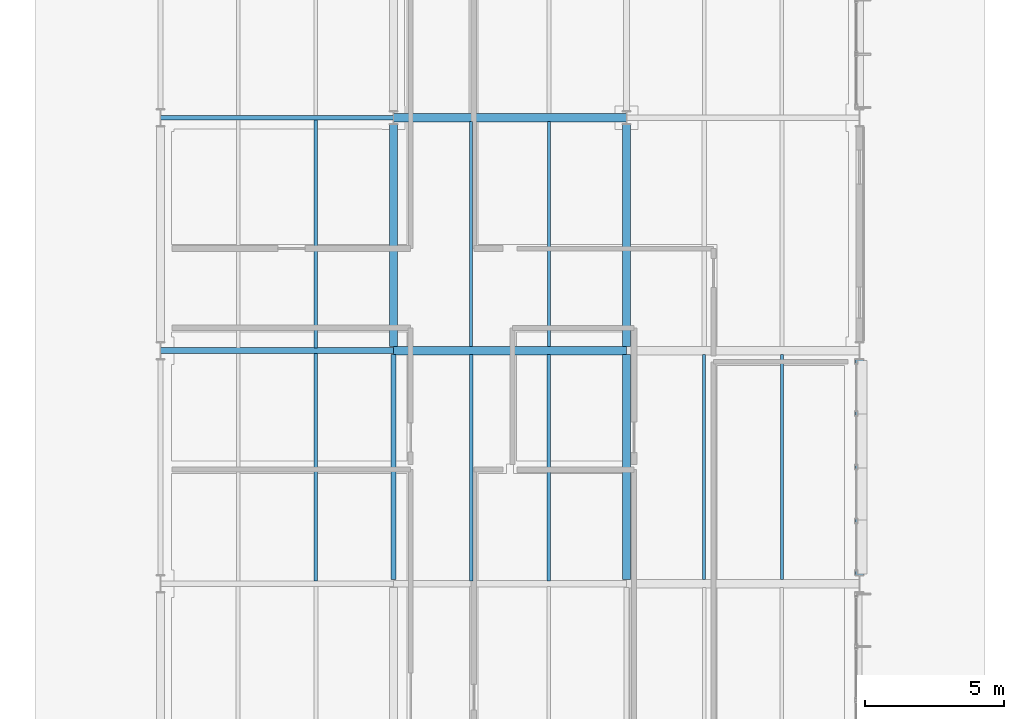
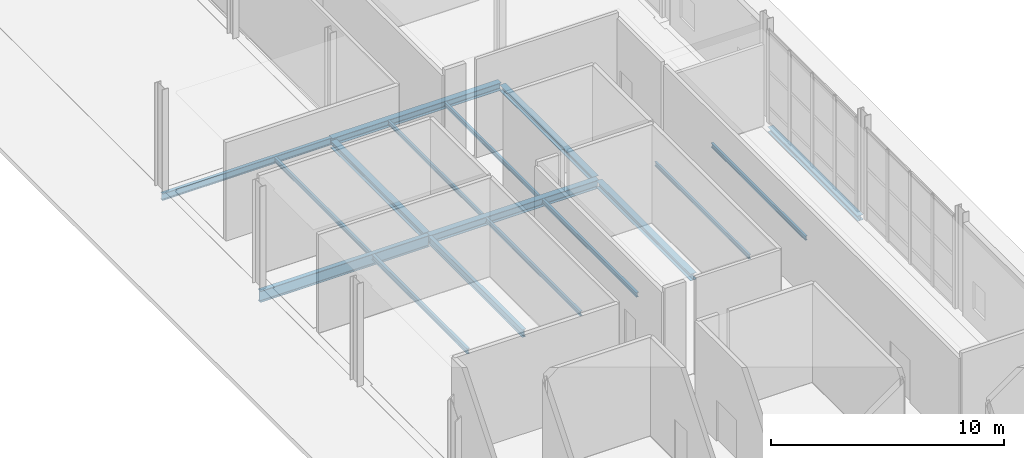
# One storey, part 39 of 124: 17 beams.
"""IFC4 building model written with IfcOpenShell, lengths in metres."""

import ifcopenshell
import ifcopenshell.guid

model = None  # the IFC model being written
_history = None  # IfcOwnerHistory: only IFC2X3 demands one
_inside = {}  # id of a spatial element -> (the spatial element, [elements in it])
_under = {}  # id of a project, library or spatial element -> (it, [spatial elements below it])
_declared = {}  # id of a project -> (the project, [libraries it declares])
_typed = {}  # id of a type object -> (the type object, [elements of that type])
_made_of = {}  # id of a material, layer set ... -> (it, [elements and type objects made of it])


def new_model(schema):
    """Start an empty IFC model of exactly this schema.

    Asked for "IFC4X3", IfcOpenShell would pick the latest addendum, in which some entities
    have other attributes; the version numbers below select the first issue.
    IFC2X3 requires an IfcOwnerHistory on every rooted entity: one is made here for all.
    """
    global model, _history
    if schema == "IFC4X3":
        model = ifcopenshell.file(schema_version=(4, 3, 0, 0))
    else:
        model = ifcopenshell.file(schema=schema)
    _inside.clear()
    _under.clear()
    _declared.clear()
    _typed.clear()
    _made_of.clear()
    _history = None
    if model.schema == "IFC2X3":
        org = make("IfcOrganization", Name="unknown")
        user = make(
            "IfcPersonAndOrganization",
            ThePerson=make("IfcPerson", FamilyName="unknown"),
            TheOrganization=org,
        )
        app = make(
            "IfcApplication",
            ApplicationDeveloper=org,
            Version="unknown",
            ApplicationFullName="unknown",
            ApplicationIdentifier="unknown",
        )
        _history = make(
            "IfcOwnerHistory",
            OwningUser=user,
            OwningApplication=app,
            ChangeAction="ADDED",
            CreationDate=0,
        )
    return model


def make(cls, **values):
    """One entity of the class cls with the attributes given. An attribute that is None is left unset."""
    return model.create_entity(
        cls, **{name: value for name, value in values.items() if value is not None}
    )


def rooted(cls, **values):
    """An entity with a GlobalId (a new one), such as an element, a storey or a relation."""
    return make(cls, GlobalId=ifcopenshell.guid.new(), OwnerHistory=_history, **values)


def si_unit(unit_type, name, prefix=None):
    """IfcSIUnit, for example si_unit("LENGTHUNIT", "METRE", prefix="MILLI")."""
    return make("IfcSIUnit", UnitType=unit_type, Prefix=prefix, Name=name)


def assignment(units):
    """IfcUnitAssignment: the units of a project."""
    return None if units is None else make("IfcUnitAssignment", Units=units)


def point(xyz):
    """IfcCartesianPoint."""
    return None if xyz is None else make("IfcCartesianPoint", Coordinates=xyz)


def direction(xyz):
    """IfcDirection."""
    return None if xyz is None else make("IfcDirection", DirectionRatios=xyz)


def frame(location, z_axis=None, x_axis=None):
    """IfcAxis2Placement3D, a coordinate frame: its origin and axes. An axis left out is left unset."""
    return make(
        "IfcAxis2Placement3D",
        Location=point(location),
        Axis=direction(z_axis),
        RefDirection=direction(x_axis),
    )


def frame_2d(location, x_axis=None):
    """IfcAxis2Placement2D, a coordinate frame in the plane: its origin and x axis."""
    return make(
        "IfcAxis2Placement2D", Location=point(location), RefDirection=direction(x_axis)
    )


def origin():
    """The frame at (0, 0, 0) with its axes left unset."""
    return frame((0.0, 0.0, 0.0))


def origin_2d():
    """The frame at (0, 0) in the plane with its x axis left unset."""
    return frame_2d((0.0, 0.0))


def place(relative_to, where):
    """IfcLocalPlacement: puts the frame where relative to a parent placement (None: the world)."""
    return make(
        "IfcLocalPlacement", PlacementRelTo=relative_to, RelativePlacement=where
    )


def context(
    kind, dimensions, precision=None, world=None, true_north=None, identifier=None
):
    """IfcGeometricRepresentationContext, for example the 3D "Model" context."""
    return make(
        "IfcGeometricRepresentationContext",
        ContextIdentifier=identifier,
        ContextType=kind,
        CoordinateSpaceDimension=dimensions,
        Precision=precision,
        WorldCoordinateSystem=world,
        TrueNorth=true_north,
    )


def subcontext(parent, identifier, kind, view, scale=None):
    """IfcGeometricRepresentationSubContext, for example "Body" below "Model"."""
    return make(
        "IfcGeometricRepresentationSubContext",
        ContextIdentifier=identifier,
        ContextType=kind,
        ParentContext=parent,
        TargetScale=scale,
        TargetView=view,
    )


def project(units=None, contexts=None):
    """IfcProject with its units and contexts."""
    return rooted(
        "IfcProject",
        Name="project",
        RepresentationContexts=contexts,
        UnitsInContext=assignment(units),
    )


def spatial(cls, under=None, at=None, **own):
    """A site, building, storey or space (cls), placed at a placement, below another one or the project."""
    s = rooted(cls, ObjectPlacement=at, **own)
    if under is not None:
        _under.setdefault(under.id(), (under, []))[1].append(s)
    return s


def profile(cls, at=None, kind="AREA", **sizes):
    """A parametric profile (cls). Its sizes go by their IFC names, for example OverallWidth=200.0."""
    return make(cls, ProfileType=kind, Position=at, **sizes)


def i_section(**sizes):
    """IfcIShapeProfileDef."""
    return profile("IfcIShapeProfileDef", **sizes)


def extrude(swept, where, along, depth):
    """IfcExtrudedAreaSolid: the profile swept, set in the frame where, extruded along a direction by depth."""
    return make(
        "IfcExtrudedAreaSolid",
        SweptArea=swept,
        Position=where,
        ExtrudedDirection=direction(along),
        Depth=depth,
    )


def shape(context_of_items, identifier, shape_type, items):
    """IfcShapeRepresentation: the items that make up one representation, for example the "Body"."""
    return make(
        "IfcShapeRepresentation",
        ContextOfItems=context_of_items,
        RepresentationIdentifier=identifier,
        RepresentationType=shape_type,
        Items=items,
    )


def material(Name=None, Category=None):
    """IfcMaterial."""
    return make("IfcMaterial", Name=Name, Category=Category)


def material_profile(
    of_material, cross_section, Name=None, Category=None, Priority=None
):
    """IfcMaterialProfile: a cross section and its material."""
    return make(
        "IfcMaterialProfile",
        Name=Name,
        Material=of_material,
        Profile=cross_section,
        Priority=Priority,
        Category=Category,
    )


def profile_set(profiles, Name=None, composite=None):
    """IfcMaterialProfileSet."""
    return make(
        "IfcMaterialProfileSet",
        Name=Name,
        MaterialProfiles=profiles,
        CompositeProfile=composite,
    )


def made_of(thing, what):
    """Note that an element or type object is made of a material, layer set ...; save() writes the relation."""
    if what is not None:
        _made_of.setdefault(what.id(), (what, []))[1].append(thing)
    return thing


def type_object(cls, material=None, **own):
    """A type object (cls), such as IfcWallType, which elements share."""
    return made_of(rooted(cls, **own), material)


def element(
    cls,
    number,
    at=None,
    inside=None,
    cuts=None,
    type_object=None,
    material=None,
    context=None,
    identifier="Body",
    shape_type=None,
    held_by="IfcProductDefinitionShape",
    body=None,
    shapes=None,
    **own,
):
    """One element of the class cls, such as IfcWall. Its Tag is "e" and its number.

    at: its placement. inside: the storey or other place that contains it. cuts: it is an
    opening in that element (IfcRelVoidsElement). A single representation is given by context,
    identifier, shape_type and body (its items); several are given by shapes. held_by: the class
    of the entity that holds the representations. save() writes the other relations.
    """
    e = rooted(cls, Tag="e%d" % number, ObjectPlacement=at, **own)
    if body is not None:
        shapes = [shape(context, identifier, shape_type, body)]
    if shapes is not None:
        e.Representation = make(held_by, Representations=shapes)
    if inside is not None:
        _inside.setdefault(inside.id(), (inside, []))[1].append(e)
    if cuts is not None:
        rooted(
            "IfcRelVoidsElement", RelatingBuildingElement=cuts, RelatedOpeningElement=e
        )
    if type_object is not None:
        _typed.setdefault(type_object.id(), (type_object, []))[1].append(e)
    return made_of(e, material)


def aggregate(whole, parts):
    """IfcRelAggregates: a whole, such as a stair, and the parts it consists of."""
    return rooted("IfcRelAggregates", RelatingObject=whole, RelatedObjects=parts)


def save(model, path):
    """Write the relations noted so far, then the file.

    IfcRelAggregates (storeys below a building ...), IfcRelContainedInSpatialStructure (elements
    in a storey), IfcRelDefinesByType, IfcRelAssociatesMaterial and IfcRelDeclares: one each for
    every whole, place, type object, material and project.
    """
    for whole, parts in _under.values():
        aggregate(whole, parts)
    for where, things in _inside.values():
        rooted(
            "IfcRelContainedInSpatialStructure",
            RelatedElements=things,
            RelatingStructure=where,
        )
    for kind, things in _typed.values():
        rooted("IfcRelDefinesByType", RelatedObjects=things, RelatingType=kind)
    for what, things in _made_of.values():
        rooted("IfcRelAssociatesMaterial", RelatedObjects=things, RelatingMaterial=what)
    for by, libraries in _declared.values():
        rooted("IfcRelDeclares", RelatingContext=by, RelatedDefinitions=libraries)
    model.write(path)


model = new_model("IFC4")

# Units and contexts
model_context = context("Model", 3, precision=1e-05, world=origin(), true_north=direction((0.0, 1.0)))
body_context = subcontext(model_context, "Body", "Model", "MODEL_VIEW")
ifc_project = project(units=[si_unit("LENGTHUNIT", "METRE"), si_unit("AREAUNIT", "SQUARE_METRE"), si_unit("VOLUMEUNIT", "CUBIC_METRE"), si_unit("PLANEANGLEUNIT", "RADIAN"), si_unit("MASSUNIT", "GRAM", prefix="KILO")], contexts=[model_context])

# Site, building, storey
site_placement = place(None, origin())
site = spatial("IfcSite", under=ifc_project, at=site_placement, CompositionType="ELEMENT")
building_placement = place(site_placement, origin())
building = spatial("IfcBuilding", under=site, at=building_placement, Name="Mersafa Astral City Hall", CompositionType="ELEMENT")
storey_placement = place(building_placement, origin())
storey = spatial("IfcBuildingStorey", under=building, at=storey_placement, Name="L00", CompositionType="ELEMENT", Elevation=0.0)

# Beams
ifc_material = material(Name="Steel S355", Category="steel")
ifc_material_profile_1 = material_profile(ifc_material, i_section(OverallWidth=0.300048828125, OverallDepth=0.31005859375, WebThickness=0.009033203125, FlangeThickness=0.015380859375, FilletRadius=0.027099609375, at=origin_2d()), Name="HEA 320")
ifc_profile_set_1 = profile_set([ifc_material_profile_1], Name="Steel S355")
beam_type_1 = type_object("IfcBeamType", Name="STR-BM-HEA320", PredefinedType="BEAM", material=ifc_profile_set_1)
beam_1_placement = place(storey_placement, frame((109.199951171875, 84.14501953125, -0.405029296875), z_axis=(0.0, 1.0, 0.0), x_axis=(-1.0, 0.0, 0.0)))
element("IfcBeam", 1, at=beam_1_placement, inside=storey, type_object=beam_type_1, Name="L00 Primary girder Y 13-10", PredefinedType="BEAM", context=body_context, shape_type="SweptSolid", body=[
    extrude(i_section(OverallWidth=0.300048828125, OverallDepth=0.31005859375, WebThickness=0.009033203125, FlangeThickness=0.015380859375, FilletRadius=0.027099609375, at=origin_2d()), origin(), (0.0, 0.0, 1.0), 8.010009765625),
])
ifc_material_profile_2 = material_profile(ifc_material, i_section(OverallWidth=0.300048828125, OverallDepth=0.35009765625, WebThickness=0.010009765625, FlangeThickness=0.017578125, FilletRadius=0.027099609375, at=origin_2d()), Name="HEA 360")
ifc_profile_set_2 = profile_set([ifc_material_profile_2], Name="Steel S355")
beam_type_2 = type_object("IfcBeamType", Name="STR-BM-HEA360", PredefinedType="BEAM", material=ifc_profile_set_2)
beam_2_placement = place(storey_placement, frame((100.800048828125, 84.14501953125, -0.425048828125), z_axis=(0.0, 1.0, 0.0), x_axis=(-1.0, 0.0, 0.0)))
element("IfcBeam", 2, at=beam_2_placement, inside=storey, type_object=beam_type_2, Name="L00 Primary girder Y 12-10", PredefinedType="BEAM", context=body_context, shape_type="SweptSolid", body=[
    extrude(i_section(OverallWidth=0.300048828125, OverallDepth=0.35009765625, WebThickness=0.010009765625, FlangeThickness=0.017578125, FilletRadius=0.027099609375, at=origin_2d()), origin(), (0.0, 0.0, 1.0), 8.010009765625),
])
beam_3_placement = place(storey_placement, frame((109.199951171875, 75.7451171875, -0.425048828125), z_axis=(0.0, 1.0, 0.0), x_axis=(-1.0, 0.0, 0.0)))
element("IfcBeam", 3, at=beam_3_placement, inside=storey, type_object=beam_type_2, Name="L00 Primary girder Y 13-9", PredefinedType="BEAM", context=body_context, shape_type="SweptSolid", body=[
    extrude(i_section(OverallWidth=0.300048828125, OverallDepth=0.35009765625, WebThickness=0.010009765625, FlangeThickness=0.017578125, FilletRadius=0.027099609375, at=origin_2d()), origin(), (0.0, 0.0, 1.0), 8.10986328125),
])
ifc_material_profile_3 = material_profile(ifc_material, i_section(OverallWidth=0.300048828125, OverallDepth=0.389892578125, WebThickness=0.010986328125, FlangeThickness=0.01904296875, FilletRadius=0.027099609375, at=origin_2d()), Name="HEA 400")
ifc_profile_set_3 = profile_set([ifc_material_profile_3], Name="Steel S355")
beam_type_3 = type_object("IfcBeamType", Name="STR-BM-HEA400", PredefinedType="BEAM", material=ifc_profile_set_3)
beam_4_placement = place(storey_placement, frame((100.802978515625, 92.39990234375, -0.445068359375), z_axis=(1.0, 0.0, 0.0), x_axis=(0.0, 1.0, 0.0)))
element("IfcBeam", 4, at=beam_4_placement, inside=storey, type_object=beam_type_3, Name="L00 Primary girder X 12-11", PredefinedType="BEAM", context=body_context, shape_type="SweptSolid", body=[
    extrude(i_section(OverallWidth=0.300048828125, OverallDepth=0.389892578125, WebThickness=0.010986328125, FlangeThickness=0.01904296875, FilletRadius=0.027099609375, at=origin_2d()), origin(), (0.0, 0.0, 1.0), 8.39404296875),
])
ifc_material_profile_4 = material_profile(ifc_material, i_section(OverallWidth=0.300048828125, OverallDepth=0.43994140625, WebThickness=0.011474609375, FlangeThickness=0.02099609375, FilletRadius=0.027099609375, at=origin_2d()), Name="HEA 450")
ifc_profile_set_4 = profile_set([ifc_material_profile_4], Name="Steel S355")
beam_type_4 = type_object("IfcBeamType", Name="STR-BM-HEA450", PredefinedType="BEAM", material=ifc_profile_set_4)
beam_5_placement = place(storey_placement, frame((100.802978515625, 84.0, -0.469970703125), z_axis=(1.0, 0.0, 0.0), x_axis=(0.0, 1.0, 0.0)))
element("IfcBeam", 5, at=beam_5_placement, inside=storey, type_object=beam_type_4, Name="L00 Primary girder X 12-10", PredefinedType="BEAM", context=body_context, shape_type="SweptSolid", body=[
    extrude(i_section(OverallWidth=0.300048828125, OverallDepth=0.43994140625, WebThickness=0.011474609375, FlangeThickness=0.02099609375, FilletRadius=0.027099609375, at=origin_2d()), origin(), (0.0, 0.0, 1.0), 8.39404296875),
])
ifc_material_profile_5 = material_profile(ifc_material, i_section(OverallWidth=0.179931640625, OverallDepth=0.39990234375, WebThickness=0.008544921875, FlangeThickness=0.013427734375, FilletRadius=0.02099609375, at=origin_2d()), Name="IPE 400")
ifc_profile_set_5 = profile_set([ifc_material_profile_5], Name="Steel S355")
beam_type_5 = type_object("IfcBeamType", Name="STR-BM-IPE400", PredefinedType="BEAM", material=ifc_profile_set_5)
beam_6_placement = place(storey_placement, frame((100.800048828125, 75.7451171875, -0.449951171875), z_axis=(0.0, 1.0, 0.0), x_axis=(-1.0, 0.0, 0.0)))
element("IfcBeam", 6, at=beam_6_placement, inside=storey, type_object=beam_type_5, Name="L00 Primary girder Y 12-9", PredefinedType="BEAM", context=body_context, shape_type="SweptSolid", body=[
    extrude(i_section(OverallWidth=0.179931640625, OverallDepth=0.39990234375, WebThickness=0.008544921875, FlangeThickness=0.013427734375, FilletRadius=0.02099609375, at=origin_2d()), origin(), (0.0, 0.0, 1.0), 8.10986328125),
])
ifc_material_profile_6 = material_profile(ifc_material, i_section(OverallWidth=0.219970703125, OverallDepth=0.60009765625, WebThickness=0.011962890625, FlangeThickness=0.01904296875, FilletRadius=0.02392578125, at=origin_2d()), Name="IPE 600")
ifc_profile_set_6 = profile_set([ifc_material_profile_6], Name="Steel S355")
beam_type_6 = type_object("IfcBeamType", Name="STR-BM-IPE600", PredefinedType="BEAM", material=ifc_profile_set_6)
beam_7_placement = place(storey_placement, frame((92.403076171875, 84.0, -0.550048828125), z_axis=(1.0, 0.0, 0.0), x_axis=(0.0, 1.0, 0.0)))
element("IfcBeam", 7, at=beam_7_placement, inside=storey, type_object=beam_type_6, Name="L00 Primary girder X 11-10", PredefinedType="BEAM", context=body_context, shape_type="SweptSolid", body=[
    extrude(i_section(OverallWidth=0.219970703125, OverallDepth=0.60009765625, WebThickness=0.011962890625, FlangeThickness=0.01904296875, FilletRadius=0.02392578125, at=origin_2d()), origin(), (0.0, 0.0, 1.0), 8.39404296875),
])
ifc_material_profile_7 = material_profile(ifc_material, i_section(OverallWidth=0.110107421875, OverallDepth=0.219970703125, WebThickness=0.005859375, FlangeThickness=0.00927734375, FilletRadius=0.011962890625, at=origin_2d()), Name="IPE 220")
ifc_profile_set_7 = profile_set([ifc_material_profile_7], Name="Steel S355")
beam_type_7 = type_object("IfcBeamType", Name="STR-BM-JOIST-IPE220", PredefinedType="JOIST", material=ifc_profile_set_7)
for number, where, z_axis, x_axis, name in (
    (8, (103.60009765625, 84.14501953125, -0.360107421875), (0.0, 1.0, 0.0), (-1.0, 0.0, 0.0), "L00 Composite secondary floor joist 98"),
    (9, (106.39990234375, 84.14501953125, -0.360107421875), (0.0, 1.0, 0.0), (-1.0, 0.0, 0.0), "L00 Composite secondary floor joist 99"),
    (10, (112.0, 75.7451171875, -0.360107421875), (0.0, 1.0, 0.0), (-1.0, 0.0, 0.0), "L00 Composite secondary floor joist 126"),
    (11, (114.800048828125, 75.7451171875, -0.360107421875), (0.0, 1.0, 0.0), (-1.0, 0.0, 0.0), "L00 Composite secondary floor joist 127"),
):
    element("IfcBeam", number, at=place(storey_placement, frame(where, z_axis=z_axis, x_axis=x_axis)), inside=storey, type_object=beam_type_7, Name=name, PredefinedType="JOIST", context=body_context, shape_type="SweptSolid", body=[
        extrude(i_section(OverallWidth=0.110107421875, OverallDepth=0.219970703125, WebThickness=0.005859375, FlangeThickness=0.00927734375, FilletRadius=0.011962890625, at=origin_2d()), origin(), (0.0, 0.0, 1.0), 8.10986328125),
    ])
ifc_material_profile_8 = material_profile(ifc_material, i_section(OverallWidth=0.1201171875, OverallDepth=0.239990234375, WebThickness=0.006103515625, FlangeThickness=0.009765625, FilletRadius=0.014892578125, at=origin_2d()), Name="IPE 240")
ifc_profile_set_8 = profile_set([ifc_material_profile_8], Name="Steel S355")
beam_type_8 = type_object("IfcBeamType", Name="STR-BM-JOIST-IPE240", PredefinedType="JOIST", material=ifc_profile_set_8)
beam_8_placement = place(storey_placement, frame((98.0, 84.10498046875, -0.3701171875), z_axis=(0.0, 1.0, 0.0), x_axis=(-1.0, 0.0, 0.0)))
element("IfcBeam", 12, at=beam_8_placement, inside=storey, type_object=beam_type_8, Name="L00 Composite secondary floor joist 75", PredefinedType="JOIST", context=body_context, shape_type="SweptSolid", body=[
    extrude(i_section(OverallWidth=0.1201171875, OverallDepth=0.239990234375, WebThickness=0.006103515625, FlangeThickness=0.009765625, FilletRadius=0.014892578125, at=origin_2d()), origin(), (0.0, 0.0, 1.0), 8.215087890625),
])
for number, where, z_axis, x_axis, name in (
    (13, (103.60009765625, 75.705078125, -0.3701171875), (0.0, 1.0, 0.0), (-1.0, 0.0, 0.0), "L00 Composite secondary floor joist 96"),
    (14, (106.39990234375, 75.705078125, -0.3701171875), (0.0, 1.0, 0.0), (-1.0, 0.0, 0.0), "L00 Composite secondary floor joist 97"),
):
    element("IfcBeam", number, at=place(storey_placement, frame(where, z_axis=z_axis, x_axis=x_axis)), inside=storey, type_object=beam_type_8, Name=name, PredefinedType="JOIST", context=body_context, shape_type="SweptSolid", body=[
        extrude(i_section(OverallWidth=0.1201171875, OverallDepth=0.239990234375, WebThickness=0.006103515625, FlangeThickness=0.009765625, FilletRadius=0.014892578125, at=origin_2d()), origin(), (0.0, 0.0, 1.0), 8.14990234375),
    ])
ifc_material_profile_9 = material_profile(ifc_material, i_section(OverallWidth=0.135009765625, OverallDepth=0.27001953125, WebThickness=0.006591796875, FlangeThickness=0.01025390625, FilletRadius=0.014892578125, at=origin_2d()), Name="IPE 270")
ifc_profile_set_9 = profile_set([ifc_material_profile_9], Name="Steel S355")
beam_type_9 = type_object("IfcBeamType", Name="STR-BM-JOIST-IPE270", PredefinedType="JOIST", material=ifc_profile_set_9)
beam_9_placement = place(storey_placement, frame((98.0, 75.695068359375, -0.385009765625), z_axis=(0.0, 1.0, 0.0), x_axis=(-1.0, 0.0, 0.0)))
element("IfcBeam", 15, at=beam_9_placement, inside=storey, type_object=beam_type_9, Name="L00 Composite secondary floor joist 73", PredefinedType="JOIST", context=body_context, shape_type="SweptSolid", body=[
    extrude(i_section(OverallWidth=0.135009765625, OverallDepth=0.27001953125, WebThickness=0.006591796875, FlangeThickness=0.01025390625, FilletRadius=0.014892578125, at=origin_2d()), origin(), (0.0, 0.0, 1.0), 8.199951171875),
])
ifc_material_profile_10 = material_profile(ifc_material, i_section(OverallWidth=0.280029296875, OverallDepth=0.27001953125, WebThickness=0.008056640625, FlangeThickness=0.012939453125, FilletRadius=0.02392578125, at=origin_2d()), Name="HEA 280")
ifc_profile_set_10 = profile_set([ifc_material_profile_10], Name="Steel S355")
beam_type_10 = type_object("IfcBeamType", Name="STR-BM-SPANDREL-HEA280", PredefinedType="SPANDREL", material=ifc_profile_set_10)
beam_10_placement = place(storey_placement, frame((117.60009765625, 75.919921875, -0.385009765625), z_axis=(0.0, 1.0, 0.0), x_axis=(-1.0, 0.0, 0.0)))
element("IfcBeam", 16, at=beam_10_placement, inside=storey, type_object=beam_type_10, Name="L00 Primary girder Y 14-9", PredefinedType="SPANDREL", context=body_context, shape_type="SweptSolid", body=[
    extrude(i_section(OverallWidth=0.280029296875, OverallDepth=0.27001953125, WebThickness=0.008056640625, FlangeThickness=0.012939453125, FilletRadius=0.02392578125, at=origin_2d()), origin(), (0.0, 0.0, 1.0), 7.760009765625),
])
ifc_material_profile_11 = material_profile(ifc_material, i_section(OverallWidth=0.169921875, OverallDepth=0.360107421875, WebThickness=0.008056640625, FlangeThickness=0.0126953125, FilletRadius=0.01806640625, at=origin_2d()), Name="IPE 360")
ifc_profile_set_11 = profile_set([ifc_material_profile_11], Name="Steel S355")
beam_type_11 = type_object("IfcBeamType", Name="STR-BM-SPANDREL-IPE360", PredefinedType="SPANDREL", material=ifc_profile_set_11)
beam_11_placement = place(storey_placement, frame((92.403076171875, 92.39990234375, -0.429931640625), z_axis=(1.0, 0.0, 0.0), x_axis=(0.0, 1.0, 0.0)))
element("IfcBeam", 17, at=beam_11_placement, inside=storey, type_object=beam_type_11, Name="L00 Primary girder X 11-11", PredefinedType="SPANDREL", context=body_context, shape_type="SweptSolid", body=[
    extrude(i_section(OverallWidth=0.169921875, OverallDepth=0.360107421875, WebThickness=0.008056640625, FlangeThickness=0.0126953125, FilletRadius=0.01806640625, at=origin_2d()), origin(), (0.0, 0.0, 1.0), 8.39404296875),
])

save(model, "model.ifc")
